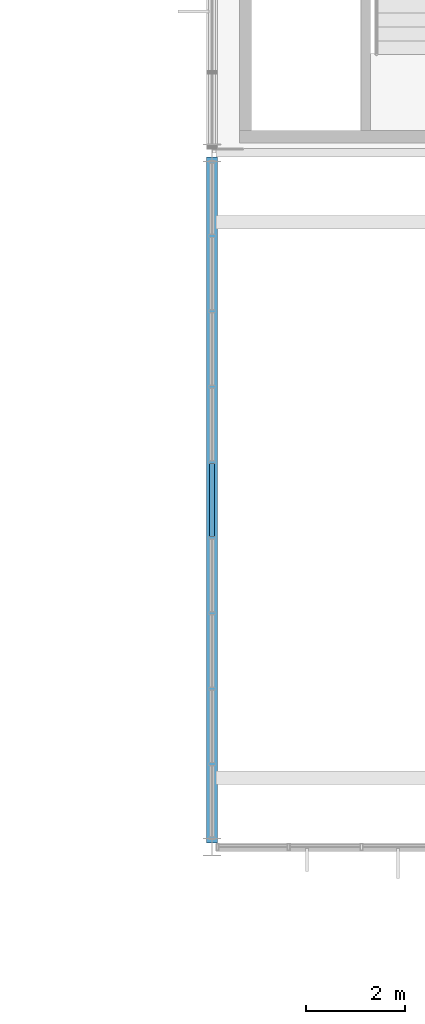
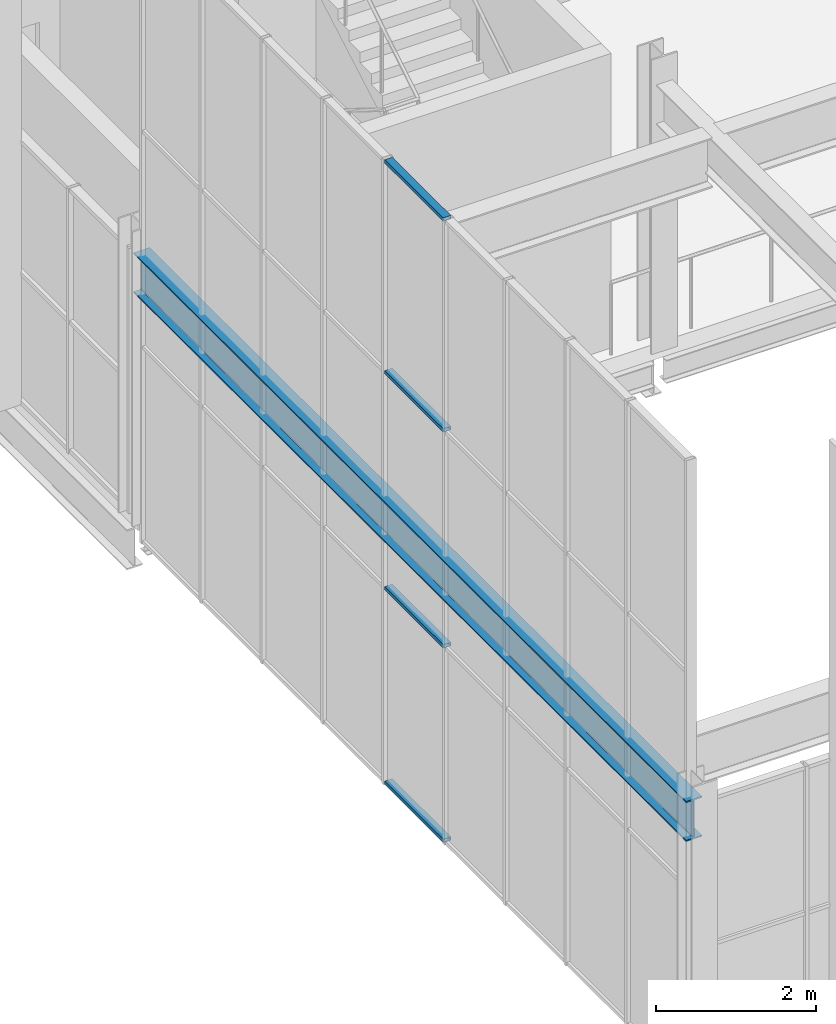
# One storey, part 68 of 324: 4 members, 1 beam, 1 element without a shape of its own.
"""IFC4 building model written with IfcOpenShell, lengths in metres."""

from ifc_helpers import new_model, si_unit, direction, frame, origin, origin_2d, place, context, subcontext, project, spatial, hollow_rectangle, i_section, extrude, material, layer, layer_set, material_profile, profile_set, type_object, element, aggregate, save


model = new_model("IFC4")

# Units and contexts
model_context = context("Model", 3, precision=1e-05, world=origin(), true_north=direction((0.0, 1.0)))
body_context = subcontext(model_context, "Body", "Model", "MODEL_VIEW")
ifc_project = project(units=[si_unit("LENGTHUNIT", "METRE"), si_unit("AREAUNIT", "SQUARE_METRE"), si_unit("VOLUMEUNIT", "CUBIC_METRE"), si_unit("PLANEANGLEUNIT", "RADIAN"), si_unit("MASSUNIT", "GRAM", prefix="KILO")], contexts=[model_context])

# Site, building, storey
site_placement = place(None, origin())
site = spatial("IfcSite", under=ifc_project, at=site_placement, CompositionType="ELEMENT")
building_placement = place(site_placement, origin())
building = spatial("IfcBuilding", under=site, at=building_placement, Name="Solvenia Promenade Tram Depot", CompositionType="ELEMENT")
storey_placement = place(building_placement, frame((0.0, 0.0, 4.5)))
storey = spatial("IfcBuildingStorey", under=building, at=storey_placement, Name="L01", CompositionType="ELEMENT", Elevation=4.5)

# Curtain wall, members
ifc_material_1 = material(Name="Anodized aluminium AW-6063 T6", Category="aluminium")
ifc_layer = layer(ifc_material_1, 0.080078125, Name="Anodized aluminium AW-6063 T6", Category="aluminium")
ifc_layer_set = layer_set([ifc_layer], Name="Anodized aluminium AW-6063 T6")
curtain_wall_type = type_object("IfcCurtainWallType", Name="CW-Clerest-1500", PredefinedType="NOTDEFINED", material=ifc_layer_set)
curtain_wall_placement = place(storey_placement, origin())
curtain_wall = element("IfcCurtainWall", 1, at=curtain_wall_placement, inside=storey, type_object=curtain_wall_type, Name="Curtain Wall CW-V2W-CRANE-L1", PredefinedType="NOTDEFINED")
ifc_material_profile_1 = material_profile(ifc_material_1, hollow_rectangle(XDim=0.110107421875, YDim=0.054931640625, WallThickness=0.00390625, at=origin_2d()), Name="ALU-T4", Category="aluminium")
ifc_profile_set_1 = profile_set([ifc_material_profile_1], Name="Anodized aluminium AW-6063 T6")
member_type = type_object("IfcMemberType", Name="CWT-Transom-4", PredefinedType="USERDEFINED", material=ifc_profile_set_1)
member_1_placement = place(storey_placement, frame((105.0, 30.266357421875, -0.2724609375), z_axis=(0.0, 1.0, 0.0), x_axis=(-1.0, 0.0, 0.0)))
member_1 = element("IfcMember", 2, at=member_1_placement, type_object=member_type, Name="CW-4 transom 5.1", ObjectType="TRANSOM", PredefinedType="USERDEFINED", context=body_context, shape_type="SweptSolid", body=[
    extrude(hollow_rectangle(XDim=0.110107421875, YDim=0.054931640625, WallThickness=0.00390625, at=origin_2d()), origin(), (0.0, 0.0, 1.0), 1.46728515625),
])
member_2_placement = place(storey_placement, frame((105.0, 30.266357421875, 2.699951171875), z_axis=(0.0, 1.0, 0.0), x_axis=(-1.0, 0.0, 0.0)))
member_2 = element("IfcMember", 3, at=member_2_placement, type_object=member_type, Name="CW-4 transom 5.2", ObjectType="TRANSOM", PredefinedType="USERDEFINED", context=body_context, shape_type="SweptSolid", body=[
    extrude(hollow_rectangle(XDim=0.110107421875, YDim=0.054931640625, WallThickness=0.00390625, at=origin_2d()), origin(), (0.0, 0.0, 1.0), 1.46728515625),
])
member_3_placement = place(storey_placement, frame((105.0, 30.266357421875, 6.0), z_axis=(0.0, 1.0, 0.0), x_axis=(-1.0, 0.0, 0.0)))
member_3 = element("IfcMember", 4, at=member_3_placement, type_object=member_type, Name="CW-4 transom 5.3", ObjectType="TRANSOM", PredefinedType="USERDEFINED", context=body_context, shape_type="SweptSolid", body=[
    extrude(hollow_rectangle(XDim=0.110107421875, YDim=0.054931640625, WallThickness=0.00390625, at=origin_2d()), origin(), (0.0, 0.0, 1.0), 1.46728515625),
])
member_4_placement = place(storey_placement, frame((105.0, 30.266357421875, 9.222412109375), z_axis=(0.0, 1.0, 0.0), x_axis=(-1.0, 0.0, 0.0)))
member_4 = element("IfcMember", 5, at=member_4_placement, type_object=member_type, Name="CW-4 transom 5.4", ObjectType="TRANSOM", PredefinedType="USERDEFINED", context=body_context, shape_type="SweptSolid", body=[
    extrude(hollow_rectangle(XDim=0.110107421875, YDim=0.054931640625, WallThickness=0.00390625, at=origin_2d()), origin(), (0.0, 0.0, 1.0), 1.46728515625),
])
aggregate(curtain_wall, [member_1, member_2, member_3, member_4])

# Beam
ifc_material_2 = material(Name="Structural steel ASTM A992 Gr. 50", Category="steel")
ifc_material_profile_2 = material_profile(ifc_material_2, i_section(OverallWidth=0.22900390625, OverallDepth=0.612060546875, WebThickness=0.011962890625, FlangeThickness=0.01953125, FilletRadius=0.014892578125, at=origin_2d()), Name="W610x125", Category="steel")
ifc_profile_set_2 = profile_set([ifc_material_profile_2], Name="Structural steel ASTM A992 Gr. 50")
beam_type = type_object("IfcBeamType", Name="Gird-W610x125", PredefinedType="BEAM", material=ifc_profile_set_2)
beam_placement = place(storey_placement, frame((105.0, 24.0849609375, 3.7939453125), z_axis=(0.0, 1.0, 0.0), x_axis=(-1.0, 0.0, 0.0)))
element("IfcBeam", 6, at=beam_placement, inside=storey, type_object=beam_type, Name="Crane Hall Cross Bearer BM-L01-0906", PredefinedType="BEAM", context=body_context, shape_type="SweptSolid", body=[
    extrude(i_section(OverallWidth=0.22900390625, OverallDepth=0.612060546875, WebThickness=0.011962890625, FlangeThickness=0.01953125, FilletRadius=0.014892578125, at=origin_2d()), origin(), (0.0, 0.0, 1.0), 13.830078125),
])

save(model, "model.ifc")
